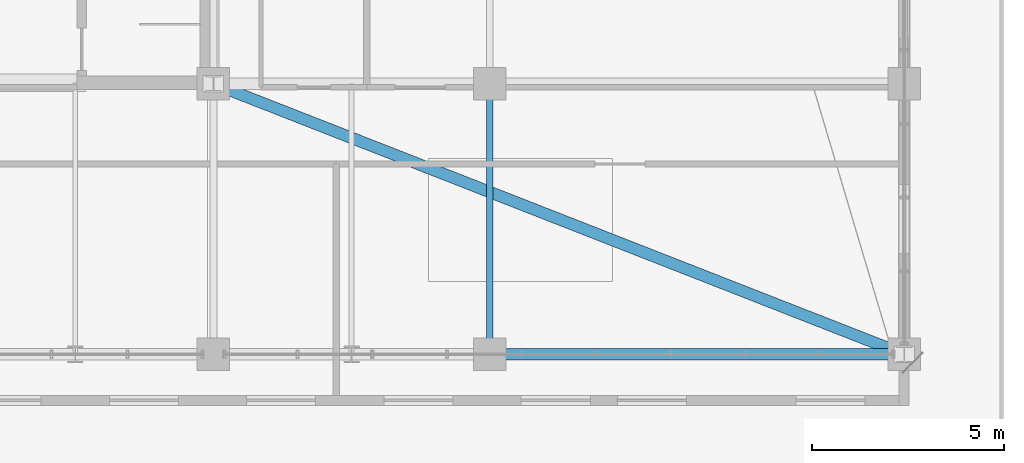
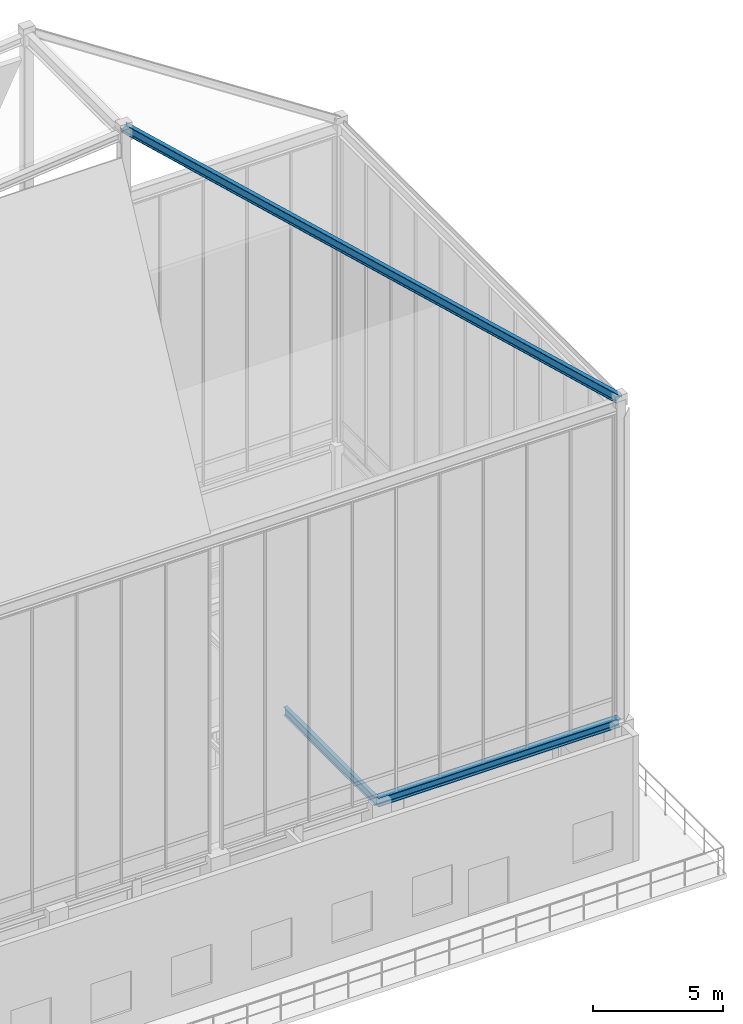
# One storey, part 30 of 49: 2 beams, 1 member.
"""IFC4 building model written with IfcOpenShell, lengths in metres."""

from ifc_helpers import new_model, si_unit, direction, frame, origin, origin_2d, place, context, subcontext, project, spatial, i_section, extrude, source, transform, mapped, material, material_profile, profile_set, type_object, element, save


model = new_model("IFC4")

# Units and contexts
model_context = context("Model", 3, precision=1e-05, world=origin(), true_north=direction((0.0, 1.0)))
body_context = subcontext(model_context, "Body", "Model", "MODEL_VIEW")
ifc_project = project(units=[si_unit("LENGTHUNIT", "METRE"), si_unit("AREAUNIT", "SQUARE_METRE"), si_unit("VOLUMEUNIT", "CUBIC_METRE"), si_unit("PLANEANGLEUNIT", "RADIAN"), si_unit("MASSUNIT", "GRAM", prefix="KILO")], contexts=[model_context])

# Site, building, storey
site_placement = place(None, origin())
site = spatial("IfcSite", under=ifc_project, at=site_placement, CompositionType="ELEMENT")
building_placement = place(site_placement, origin())
building = spatial("IfcBuilding", under=site, at=building_placement, Name="Kaliganga Portal Commons", CompositionType="ELEMENT")
storey_placement = place(building_placement, frame((0.0, 0.0, 298.0)))
storey = spatial("IfcBuildingStorey", under=building, at=storey_placement, Name="L77", CompositionType="ELEMENT", Elevation=298.0)

# Beams
ifc_material_1 = material(Name="Structural steel S355J2", Category="steel")
ifc_material_profile_1 = material_profile(ifc_material_1, i_section(OverallWidth=0.300048828125, OverallDepth=0.39990234375, WebThickness=0.013427734375, FlangeThickness=0.02392578125, FilletRadius=0.027099609375, at=origin_2d()), Name="HE 400 B")
ifc_profile_set_1 = profile_set([ifc_material_profile_1], Name="Structural steel S355J2 wide-flange")
beam_type_1 = type_object("IfcBeamType", Name="BM-SPAND-400", PredefinedType="SPANDREL", material=ifc_profile_set_1)
shared_shape_1 = source(origin(), body_context, "Body", "SweptSolid", [
    extrude(i_section(OverallWidth=0.300048828125, OverallDepth=0.39990234375, WebThickness=0.013427734375, FlangeThickness=0.02392578125, FilletRadius=0.027099609375, at=origin_2d()), origin(), (0.0, 0.0, 1.0), 10.800048828125),
])
beam_1_placement = place(storey_placement, frame((36.0, 21.60009765625, 5.800048828125), z_axis=(1.0, 0.0, 0.0), x_axis=(0.0, 1.0, 0.0)))
element("IfcBeam", 1, at=beam_1_placement, inside=storey, type_object=beam_type_1, Name="BM SP L77 AS 7", PredefinedType="SPANDREL", context=body_context, shape_type="MappedRepresentation", body=[
    mapped(shared_shape_1, transform((0.0, 0.0, 0.0), x_axis=(1.0, 0.0, 0.0), y_axis=(0.0, 1.0, 0.0), z_axis=(0.0, 0.0, 1.0), scale=1.0)),
])
ifc_material_profile_2 = material_profile(ifc_material_1, i_section(OverallWidth=0.179931640625, OverallDepth=0.39990234375, WebThickness=0.008544921875, FlangeThickness=0.013427734375, FilletRadius=0.02099609375, at=origin_2d()), Name="IPE 400")
ifc_profile_set_2 = profile_set([ifc_material_profile_2], Name="Structural steel S355J2 wide-flange")
beam_type_2 = type_object("IfcBeamType", Name="BM-FLR-400", PredefinedType="BEAM", material=ifc_profile_set_2)
shared_shape_2 = source(origin(), body_context, "Body", "SweptSolid", [
    extrude(i_section(OverallWidth=0.179931640625, OverallDepth=0.39990234375, WebThickness=0.008544921875, FlangeThickness=0.013427734375, FilletRadius=0.02099609375, at=origin_2d()), origin(), (0.0, 0.0, 1.0), 7.0498046875),
])
beam_2_placement = place(storey_placement, frame((36.0, 21.60009765625, 5.800048828125), z_axis=(0.0, 1.0, 0.0), x_axis=(-1.0, 0.0, 0.0)))
element("IfcBeam", 2, at=beam_2_placement, inside=storey, type_object=beam_type_2, Name="BM G L77 AS360", PredefinedType="BEAM", context=body_context, shape_type="MappedRepresentation", body=[
    mapped(shared_shape_2, transform((0.0, 0.0, 0.0), x_axis=(1.0, 0.0, 0.0), y_axis=(0.0, 1.0, 0.0), z_axis=(0.0, 0.0, 1.0), scale=1.0)),
])

# Member
ifc_material_2 = material(Name="Structural steel S460M", Category="steel")
ifc_material_profile_3 = material_profile(ifc_material_2, i_section(OverallWidth=0.300048828125, OverallDepth=0.360107421875, WebThickness=0.012451171875, FlangeThickness=0.0224609375, FilletRadius=0.027099609375, at=origin_2d()), Name="HE 360 B")
ifc_profile_set_3 = profile_set([ifc_material_profile_3], Name="Structural steel S460M wide-flange")
member_type = type_object("IfcMemberType", Name="MBR-CROWN-DIAG", PredefinedType="BRACE", material=ifc_profile_set_3)
shared_shape_3 = source(origin(), body_context, "Body", "SweptSolid", [
    extrude(i_section(OverallWidth=0.300048828125, OverallDepth=0.360107421875, WebThickness=0.012451171875, FlangeThickness=0.0224609375, FilletRadius=0.027099609375, at=origin_2d()), origin(), (0.0, 0.0, 1.0), 24.352294921875),
])
member_placement = place(storey_placement, frame((46.800048828125, 21.60009765625, 21.0), z_axis=(-0.739147984546, 0.289491607011, 0.608156942254), x_axis=(-0.364683138533, -0.931131681595, 0.0)))
element("IfcMember", 3, at=member_placement, inside=storey, type_object=member_type, Name="Crown Frame Diagrid Brace CRD-02", PredefinedType="BRACE", context=body_context, shape_type="MappedRepresentation", body=[
    mapped(shared_shape_3, transform((0.0, 0.0, 0.0), x_axis=(1.0, 0.0, 0.0), y_axis=(0.0, 1.0, 0.0), z_axis=(0.0, 0.0, 1.0), scale=1.0)),
])

save(model, "model.ifc")
